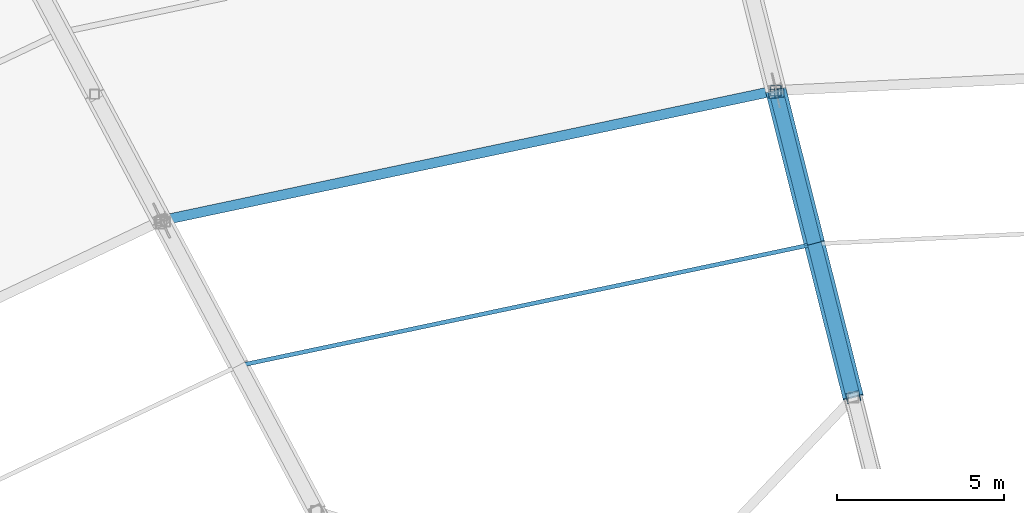
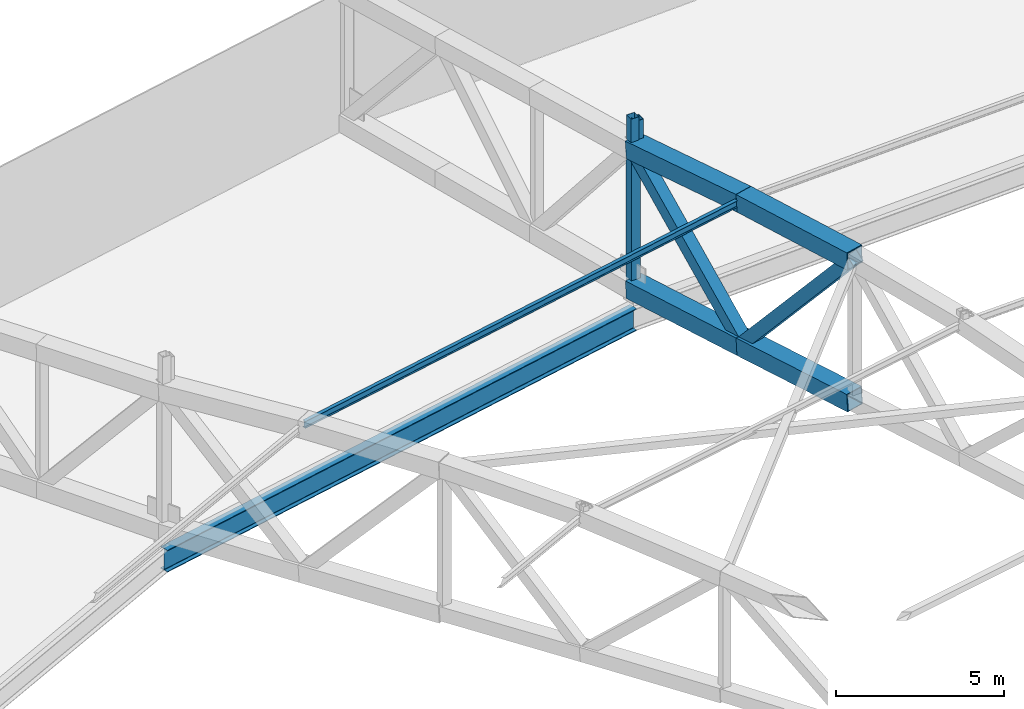
# One storey, part 76 of 162: 10 members, 1 beam.
"""IFC4 building model written with IfcOpenShell, lengths in metres."""

import ifcopenshell
import ifcopenshell.guid

model = None  # the IFC model being written
_history = None  # IfcOwnerHistory: only IFC2X3 demands one
_inside = {}  # id of a spatial element -> (the spatial element, [elements in it])
_under = {}  # id of a project, library or spatial element -> (it, [spatial elements below it])
_declared = {}  # id of a project -> (the project, [libraries it declares])
_typed = {}  # id of a type object -> (the type object, [elements of that type])
_made_of = {}  # id of a material, layer set ... -> (it, [elements and type objects made of it])


def new_model(schema):
    """Start an empty IFC model of exactly this schema.

    Asked for "IFC4X3", IfcOpenShell would pick the latest addendum, in which some entities
    have other attributes; the version numbers below select the first issue.
    IFC2X3 requires an IfcOwnerHistory on every rooted entity: one is made here for all.
    """
    global model, _history
    if schema == "IFC4X3":
        model = ifcopenshell.file(schema_version=(4, 3, 0, 0))
    else:
        model = ifcopenshell.file(schema=schema)
    _inside.clear()
    _under.clear()
    _declared.clear()
    _typed.clear()
    _made_of.clear()
    _history = None
    if model.schema == "IFC2X3":
        org = make("IfcOrganization", Name="unknown")
        user = make(
            "IfcPersonAndOrganization",
            ThePerson=make("IfcPerson", FamilyName="unknown"),
            TheOrganization=org,
        )
        app = make(
            "IfcApplication",
            ApplicationDeveloper=org,
            Version="unknown",
            ApplicationFullName="unknown",
            ApplicationIdentifier="unknown",
        )
        _history = make(
            "IfcOwnerHistory",
            OwningUser=user,
            OwningApplication=app,
            ChangeAction="ADDED",
            CreationDate=0,
        )
    return model


def make(cls, **values):
    """One entity of the class cls with the attributes given. An attribute that is None is left unset."""
    return model.create_entity(
        cls, **{name: value for name, value in values.items() if value is not None}
    )


def rooted(cls, **values):
    """An entity with a GlobalId (a new one), such as an element, a storey or a relation."""
    return make(cls, GlobalId=ifcopenshell.guid.new(), OwnerHistory=_history, **values)


def si_unit(unit_type, name, prefix=None):
    """IfcSIUnit, for example si_unit("LENGTHUNIT", "METRE", prefix="MILLI")."""
    return make("IfcSIUnit", UnitType=unit_type, Prefix=prefix, Name=name)


def assignment(units):
    """IfcUnitAssignment: the units of a project."""
    return None if units is None else make("IfcUnitAssignment", Units=units)


def point(xyz):
    """IfcCartesianPoint."""
    return None if xyz is None else make("IfcCartesianPoint", Coordinates=xyz)


def direction(xyz):
    """IfcDirection."""
    return None if xyz is None else make("IfcDirection", DirectionRatios=xyz)


def frame(location, z_axis=None, x_axis=None):
    """IfcAxis2Placement3D, a coordinate frame: its origin and axes. An axis left out is left unset."""
    return make(
        "IfcAxis2Placement3D",
        Location=point(location),
        Axis=direction(z_axis),
        RefDirection=direction(x_axis),
    )


def frame_2d(location, x_axis=None):
    """IfcAxis2Placement2D, a coordinate frame in the plane: its origin and x axis."""
    return make(
        "IfcAxis2Placement2D", Location=point(location), RefDirection=direction(x_axis)
    )


def origin():
    """The frame at (0, 0, 0) with its axes left unset."""
    return frame((0.0, 0.0, 0.0))


def origin_2d():
    """The frame at (0, 0) in the plane with its x axis left unset."""
    return frame_2d((0.0, 0.0))


def place(relative_to, where):
    """IfcLocalPlacement: puts the frame where relative to a parent placement (None: the world)."""
    return make(
        "IfcLocalPlacement", PlacementRelTo=relative_to, RelativePlacement=where
    )


def context(
    kind, dimensions, precision=None, world=None, true_north=None, identifier=None
):
    """IfcGeometricRepresentationContext, for example the 3D "Model" context."""
    return make(
        "IfcGeometricRepresentationContext",
        ContextIdentifier=identifier,
        ContextType=kind,
        CoordinateSpaceDimension=dimensions,
        Precision=precision,
        WorldCoordinateSystem=world,
        TrueNorth=true_north,
    )


def subcontext(parent, identifier, kind, view, scale=None):
    """IfcGeometricRepresentationSubContext, for example "Body" below "Model"."""
    return make(
        "IfcGeometricRepresentationSubContext",
        ContextIdentifier=identifier,
        ContextType=kind,
        ParentContext=parent,
        TargetScale=scale,
        TargetView=view,
    )


def project(units=None, contexts=None):
    """IfcProject with its units and contexts."""
    return rooted(
        "IfcProject",
        Name="project",
        RepresentationContexts=contexts,
        UnitsInContext=assignment(units),
    )


def spatial(cls, under=None, at=None, **own):
    """A site, building, storey or space (cls), placed at a placement, below another one or the project."""
    s = rooted(cls, ObjectPlacement=at, **own)
    if under is not None:
        _under.setdefault(under.id(), (under, []))[1].append(s)
    return s


def profile(cls, at=None, kind="AREA", **sizes):
    """A parametric profile (cls). Its sizes go by their IFC names, for example OverallWidth=200.0."""
    return make(cls, ProfileType=kind, Position=at, **sizes)


def hollow_rectangle(**sizes):
    """IfcRectangleHollowProfileDef."""
    return profile("IfcRectangleHollowProfileDef", **sizes)


def i_section(**sizes):
    """IfcIShapeProfileDef."""
    return profile("IfcIShapeProfileDef", **sizes)


def extrude(swept, where, along, depth):
    """IfcExtrudedAreaSolid: the profile swept, set in the frame where, extruded along a direction by depth."""
    return make(
        "IfcExtrudedAreaSolid",
        SweptArea=swept,
        Position=where,
        ExtrudedDirection=direction(along),
        Depth=depth,
    )


def shape(context_of_items, identifier, shape_type, items):
    """IfcShapeRepresentation: the items that make up one representation, for example the "Body"."""
    return make(
        "IfcShapeRepresentation",
        ContextOfItems=context_of_items,
        RepresentationIdentifier=identifier,
        RepresentationType=shape_type,
        Items=items,
    )


def material(Name=None, Category=None):
    """IfcMaterial."""
    return make("IfcMaterial", Name=Name, Category=Category)


def material_profile(
    of_material, cross_section, Name=None, Category=None, Priority=None
):
    """IfcMaterialProfile: a cross section and its material."""
    return make(
        "IfcMaterialProfile",
        Name=Name,
        Material=of_material,
        Profile=cross_section,
        Priority=Priority,
        Category=Category,
    )


def profile_set(profiles, Name=None, composite=None):
    """IfcMaterialProfileSet."""
    return make(
        "IfcMaterialProfileSet",
        Name=Name,
        MaterialProfiles=profiles,
        CompositeProfile=composite,
    )


def made_of(thing, what):
    """Note that an element or type object is made of a material, layer set ...; save() writes the relation."""
    if what is not None:
        _made_of.setdefault(what.id(), (what, []))[1].append(thing)
    return thing


def type_object(cls, material=None, **own):
    """A type object (cls), such as IfcWallType, which elements share."""
    return made_of(rooted(cls, **own), material)


def element(
    cls,
    number,
    at=None,
    inside=None,
    cuts=None,
    type_object=None,
    material=None,
    context=None,
    identifier="Body",
    shape_type=None,
    held_by="IfcProductDefinitionShape",
    body=None,
    shapes=None,
    **own,
):
    """One element of the class cls, such as IfcWall. Its Tag is "e" and its number.

    at: its placement. inside: the storey or other place that contains it. cuts: it is an
    opening in that element (IfcRelVoidsElement). A single representation is given by context,
    identifier, shape_type and body (its items); several are given by shapes. held_by: the class
    of the entity that holds the representations. save() writes the other relations.
    """
    e = rooted(cls, Tag="e%d" % number, ObjectPlacement=at, **own)
    if body is not None:
        shapes = [shape(context, identifier, shape_type, body)]
    if shapes is not None:
        e.Representation = make(held_by, Representations=shapes)
    if inside is not None:
        _inside.setdefault(inside.id(), (inside, []))[1].append(e)
    if cuts is not None:
        rooted(
            "IfcRelVoidsElement", RelatingBuildingElement=cuts, RelatedOpeningElement=e
        )
    if type_object is not None:
        _typed.setdefault(type_object.id(), (type_object, []))[1].append(e)
    return made_of(e, material)


def aggregate(whole, parts):
    """IfcRelAggregates: a whole, such as a stair, and the parts it consists of."""
    return rooted("IfcRelAggregates", RelatingObject=whole, RelatedObjects=parts)


def save(model, path):
    """Write the relations noted so far, then the file.

    IfcRelAggregates (storeys below a building ...), IfcRelContainedInSpatialStructure (elements
    in a storey), IfcRelDefinesByType, IfcRelAssociatesMaterial and IfcRelDeclares: one each for
    every whole, place, type object, material and project.
    """
    for whole, parts in _under.values():
        aggregate(whole, parts)
    for where, things in _inside.values():
        rooted(
            "IfcRelContainedInSpatialStructure",
            RelatedElements=things,
            RelatingStructure=where,
        )
    for kind, things in _typed.values():
        rooted("IfcRelDefinesByType", RelatedObjects=things, RelatingType=kind)
    for what, things in _made_of.values():
        rooted("IfcRelAssociatesMaterial", RelatedObjects=things, RelatingMaterial=what)
    for by, libraries in _declared.values():
        rooted("IfcRelDeclares", RelatingContext=by, RelatedDefinitions=libraries)
    model.write(path)


model = new_model("IFC4")

# Units and contexts
model_context = context("Model", 3, precision=1e-05, world=origin(), true_north=direction((0.0, 1.0)))
body_context = subcontext(model_context, "Body", "Model", "MODEL_VIEW")
ifc_project = project(units=[si_unit("LENGTHUNIT", "METRE"), si_unit("AREAUNIT", "SQUARE_METRE"), si_unit("VOLUMEUNIT", "CUBIC_METRE"), si_unit("PLANEANGLEUNIT", "RADIAN"), si_unit("MASSUNIT", "GRAM", prefix="KILO")], contexts=[model_context])

# Site, building, storey
site_placement = place(None, origin())
site = spatial("IfcSite", under=ifc_project, at=site_placement, CompositionType="ELEMENT")
building_placement = place(site_placement, origin())
building = spatial("IfcBuilding", under=site, at=building_placement, Name="Kazemori Nagisa Stadium", CompositionType="ELEMENT")
storey_placement = place(building_placement, frame((0.0, 0.0, 36.719970703125)))
storey = spatial("IfcBuildingStorey", under=building, at=storey_placement, Name="RF", CompositionType="ELEMENT", Elevation=36.719970703125)

# Beam
ifc_material_1 = material(Name="Steel SN490B", Category="steel")
ifc_material_profile_1 = material_profile(ifc_material_1, i_section(OverallWidth=0.300048828125, OverallDepth=0.800048828125, WebThickness=0.013916015625, FlangeThickness=0.02587890625, FilletRadius=0.01806640625, at=origin_2d()), Name="H-800x300x14x26")
ifc_profile_set_1 = profile_set([ifc_material_profile_1], Name="Steel SN490B")
beam_type = type_object("IfcBeamType", Name="Beam_BG-H800", PredefinedType="BEAM", material=ifc_profile_set_1)
beam_placement = place(storey_placement, frame((104.572265625, 175.088623046875, -0.679931640625), z_axis=(-0.978345149833, -0.206980114499, 0.0), x_axis=(0.206980114499, -0.978345149833, 0.0)))
element("IfcBeam", 1, at=beam_placement, inside=storey, type_object=beam_type, Name="Ring girder BG-H800 RF R2-09", PredefinedType="BEAM", context=body_context, shape_type="SweptSolid", body=[
    extrude(i_section(OverallWidth=0.300048828125, OverallDepth=0.800048828125, WebThickness=0.013916015625, FlangeThickness=0.02587890625, FilletRadius=0.01806640625, at=origin_2d()), origin(), (0.0, 0.0, 1.0), 18.791259765625),
])

# Members
ifc_material_2 = material(Name="Steel STKR490", Category="steel")
ifc_material_profile_2 = material_profile(ifc_material_2, hollow_rectangle(XDim=0.280029296875, YDim=0.280029296875, WallThickness=0.010009765625, at=origin_2d()), Name="SHS-280x280x10")
ifc_profile_set_2 = profile_set([ifc_material_profile_2], Name="Steel STKR490")
member_type_1 = type_object("IfcMemberType", Name="Member_ST-SHS280", PredefinedType="STUD", material=ifc_profile_set_2)
member_1_placement = place(storey_placement, frame((104.673095703125, 175.023681640625, 5.56005859375), z_axis=(0.0, 0.0, 1.0), x_axis=(1.0, 0.0, 0.0)))
element("IfcMember", 2, at=member_1_placement, inside=storey, type_object=member_type_1, Name="Canopy bearing stool B08-mid-2", PredefinedType="STUD", context=body_context, shape_type="SweptSolid", body=[
    extrude(hollow_rectangle(XDim=0.280029296875, YDim=0.280029296875, WallThickness=0.010009765625, at=origin_2d()), origin(), (0.0, 0.0, 1.0), 1.02099609375),
])
member_2_placement = place(storey_placement, frame((104.49951171875, 174.9931640625, 5.56005859375), z_axis=(0.0, 0.0, 1.0), x_axis=(1.0, 0.0, 0.0)))
element("IfcMember", 3, at=member_2_placement, inside=storey, type_object=member_type_1, Name="Canopy bearing stool B09-mid-1", PredefinedType="STUD", context=body_context, shape_type="SweptSolid", body=[
    extrude(hollow_rectangle(XDim=0.280029296875, YDim=0.280029296875, WallThickness=0.010009765625, at=origin_2d()), origin(), (0.0, 0.0, 1.0), 1.175048828125),
])
ifc_material_profile_3 = material_profile(ifc_material_2, hollow_rectangle(XDim=0.419921875, YDim=0.419921875, WallThickness=0.01611328125, at=origin_2d()), Name="SHS-420x420x16")
ifc_profile_set_3 = profile_set([ifc_material_profile_3], Name="Steel STKR490")
member_type_2 = type_object("IfcMemberType", Name="Member_TB-SHS420", PredefinedType="BRACE", material=ifc_profile_set_3)
member_3_placement = place(storey_placement, frame((104.572265625, 175.088623046875, 5.56005859375), z_axis=(0.172032146283, -0.682392970212, -0.710453921694), x_axis=(0.969661184378, 0.244452832895, 0.0)))
element("IfcMember", 4, at=member_3_placement, inside=storey, type_object=member_type_2, Name="Roof space truss diagonal RT-09-4", PredefinedType="BRACE", context=body_context, shape_type="SweptSolid", body=[
    extrude(hollow_rectangle(XDim=0.419921875, YDim=0.419921875, WallThickness=0.01611328125, at=origin_2d()), origin(), (0.0, 0.0, 1.0), 6.725341796875),
])
member_4_placement = place(storey_placement, frame((105.729248046875, 170.499267578125, 0.781982421875), z_axis=(0.159987403256, -0.634447936499, 0.756227377627), x_axis=(0.969645872336, 0.24451356253, 0.0)))
element("IfcMember", 5, at=member_4_placement, inside=storey, type_object=member_type_2, Name="Roof space truss diagonal RT-09-5", PredefinedType="BRACE", context=body_context, shape_type="SweptSolid", body=[
    extrude(hollow_rectangle(XDim=0.419921875, YDim=0.419921875, WallThickness=0.01611328125, at=origin_2d()), origin(), (0.0, 0.0, 1.0), 7.233154296875),
])
ifc_material_profile_4 = material_profile(ifc_material_2, hollow_rectangle(XDim=0.6201171875, YDim=0.6201171875, WallThickness=0.02197265625, at=origin_2d()), Name="SHS-620x620x22")
ifc_profile_set_4 = profile_set([ifc_material_profile_4], Name="Steel STKR490")
member_type_3 = type_object("IfcMemberType", Name="Member_TC-SHS620", PredefinedType="CHORD", material=ifc_profile_set_4)
member_5_placement = place(storey_placement, frame((104.572265625, 175.088623046875, 5.56005859375), z_axis=(0.243417400584, -0.965553976828, 0.091942845969), x_axis=(0.969661184378, 0.244452832895, 0.0)))
element("IfcMember", 6, at=member_5_placement, inside=storey, type_object=member_type_3, Name="Roof space truss top chord RT-09-4", PredefinedType="CHORD", context=body_context, shape_type="SweptSolid", body=[
    extrude(hollow_rectangle(XDim=0.6201171875, YDim=0.6201171875, WallThickness=0.02197265625, at=origin_2d()), origin(), (0.0, 0.0, 1.0), 4.753173828125),
])
member_6_placement = place(storey_placement, frame((104.572265625, 175.088623046875, 0.47998046875), z_axis=(0.243956700597, -0.967693196418, 0.063678927757), x_axis=(0.969661184378, 0.244452832895, 0.0)))
element("IfcMember", 7, at=member_6_placement, inside=storey, type_object=member_type_3, Name="Roof space truss bottom chord RT-09-4", PredefinedType="CHORD", context=body_context, shape_type="SweptSolid", body=[
    extrude(hollow_rectangle(XDim=0.6201171875, YDim=0.6201171875, WallThickness=0.02197265625, at=origin_2d()), origin(), (0.0, 0.0, 1.0), 4.74267578125),
])
member_7_placement = place(storey_placement, frame((105.729248046875, 170.499267578125, 5.9970703125), z_axis=(0.244159744689, -0.968242768127, 0.053776956425), x_axis=(0.969645872336, 0.24451356253, 0.0)))
element("IfcMember", 8, at=member_7_placement, inside=storey, type_object=member_type_3, Name="Roof space truss top chord RT-09-5", PredefinedType="CHORD", context=body_context, shape_type="SweptSolid", body=[
    extrude(hollow_rectangle(XDim=0.6201171875, YDim=0.6201171875, WallThickness=0.02197265625, at=origin_2d()), origin(), (0.0, 0.0, 1.0), 4.73974609375),
])
member_8_placement = place(storey_placement, frame((105.729248046875, 170.499267578125, 0.781982421875), z_axis=(0.243946112011, -0.967395583855, 0.06808875658), x_axis=(0.969645872336, 0.24451356253, 0.0)))
element("IfcMember", 9, at=member_8_placement, inside=storey, type_object=member_type_3, Name="Roof space truss bottom chord RT-09-5", PredefinedType="CHORD", context=body_context, shape_type="SweptSolid", body=[
    extrude(hollow_rectangle(XDim=0.6201171875, YDim=0.6201171875, WallThickness=0.02197265625, at=origin_2d()), origin(), (0.0, 0.0, 1.0), 4.743896484375),
])
ifc_material_profile_5 = material_profile(ifc_material_1, i_section(OverallWidth=0.125, OverallDepth=0.25, WebThickness=0.006103515625, FlangeThickness=0.009033203125, FilletRadius=0.008056640625, at=origin_2d()), Name="H-250x125x6x9")
ifc_profile_set_5 = profile_set([ifc_material_profile_5], Name="Steel SN490B")
member_type_4 = type_object("IfcMemberType", Name="Member_TP-H250", PredefinedType="PURLIN", material=ifc_profile_set_5)
member_9_placement = place(storey_placement, frame((105.729248046875, 170.499267578125, 5.9970703125), z_axis=(-0.978340368603, -0.206971812212, 0.003576605998), x_axis=(0.206973136028, -0.978346626183, 0.0)))
element("IfcMember", 10, at=member_9_placement, inside=storey, type_object=member_type_4, Name="Roof purlin TP-H250 B09-P4", PredefinedType="PURLIN", context=body_context, shape_type="SweptSolid", body=[
    extrude(i_section(OverallWidth=0.125, OverallDepth=0.25, WebThickness=0.006103515625, FlangeThickness=0.009033203125, FilletRadius=0.008056640625, at=origin_2d()), origin(), (0.0, 0.0, 1.0), 17.611083984375),
])
ifc_material_profile_6 = material_profile(ifc_material_2, hollow_rectangle(XDim=0.320068359375, YDim=0.320068359375, WallThickness=0.011962890625, at=origin_2d()), Name="SHS-320x320x12")
ifc_profile_set_6 = profile_set([ifc_material_profile_6], Name="Steel STKR490")
member_type_5 = type_object("IfcMemberType", Name="Member_TS-SHS320", PredefinedType="STRUT", material=ifc_profile_set_6)
member_10_placement = place(storey_placement, frame((104.572265625, 175.088623046875, 0.47998046875), z_axis=(0.0, 0.0, 1.0), x_axis=(1.0, 0.0, 0.0)))
element("IfcMember", 11, at=member_10_placement, inside=storey, type_object=member_type_5, Name="Roof space truss strut RT-09-4", PredefinedType="STRUT", context=body_context, shape_type="SweptSolid", body=[
    extrude(hollow_rectangle(XDim=0.320068359375, YDim=0.320068359375, WallThickness=0.011962890625, at=origin_2d()), origin(), (0.0, 0.0, 1.0), 5.080078125),
])

save(model, "model.ifc")
